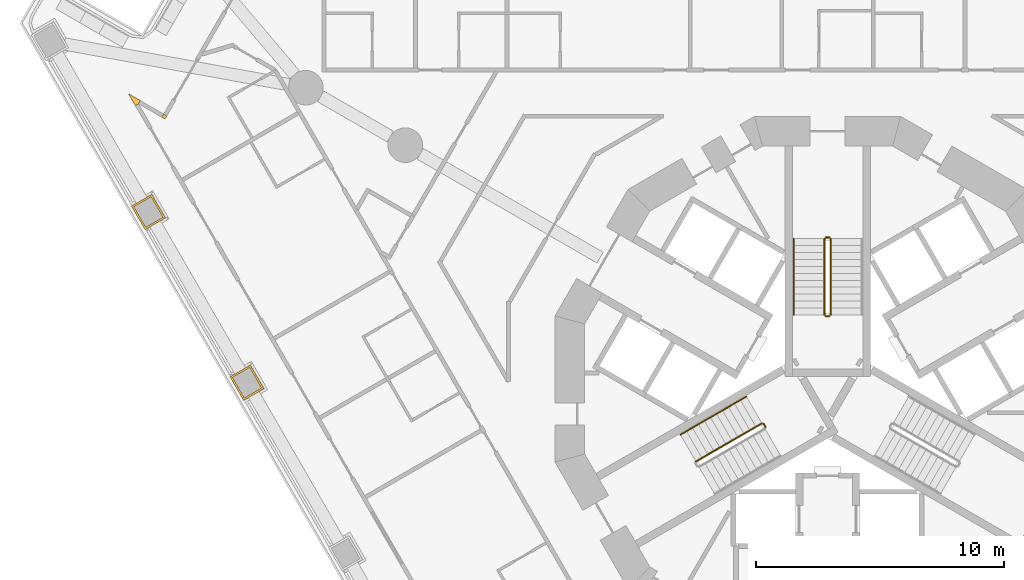
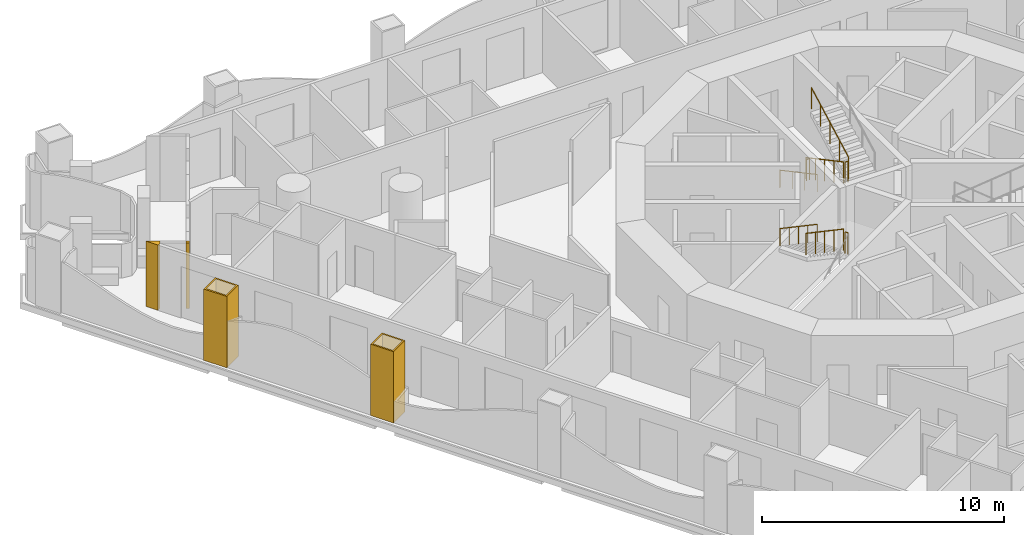
# One storey, part 16 of 20: 9 railings, 4 coverings.
"""IFC4 building model written with IfcOpenShell, lengths in metres."""

from ifc_helpers import new_model, si_unit, direction, frame, origin, origin_2d, place, context, subcontext, project, spatial, polyline, circle, outline, extrude, material, layer, layer_set, type_object, element, save


model = new_model("IFC4")

# Units and contexts
model_context = context("Model", 3, precision=1e-05, world=origin(), true_north=direction((0.0, 1.0)))
body_context = subcontext(model_context, "Body", "Model", "MODEL_VIEW")
ifc_project = project(units=[si_unit("LENGTHUNIT", "METRE"), si_unit("AREAUNIT", "SQUARE_METRE"), si_unit("VOLUMEUNIT", "CUBIC_METRE"), si_unit("PLANEANGLEUNIT", "RADIAN"), si_unit("MASSUNIT", "GRAM", prefix="KILO")], contexts=[model_context])

# Site, building, storey
site_placement = place(None, origin())
site = spatial("IfcSite", under=ifc_project, at=site_placement, CompositionType="ELEMENT")
building_placement = place(site_placement, origin())
building = spatial("IfcBuilding", under=site, at=building_placement, Name="Trine Commons Tower", CompositionType="ELEMENT")
storey_placement = place(building_placement, frame((0.0, 0.0, 38.699951171875)))
storey = spatial("IfcBuildingStorey", under=building, at=storey_placement, Name="L08", CompositionType="ELEMENT", Elevation=38.699951171875)

# Coverings
ifc_material_1 = material(Name="Aluminium-framed insulated wall panel", Category="aluminium")
ifc_layer_1 = layer(ifc_material_1, 0.14990234375)
ifc_layer_set_1 = layer_set([ifc_layer_1], Name="Aluminium-framed insulated wall panel")
covering_type_1 = type_object("IfcCoveringType", Name="Glazing corner post, aluminium", PredefinedType="CLADDING", material=ifc_layer_set_1)
covering_1_placement = place(storey_placement, origin())
element("IfcCovering", 1, at=covering_1_placement, inside=storey, type_object=covering_type_1, Name="Glazing corner post 1-01", PredefinedType="CLADDING", context=body_context, shape_type="SweptSolid", body=[
    extrude(outline(polyline([(51.75634765625, 74.43017578125), (51.75634765625, 74.43017578125), (52.036376953125, 73.9453125), (52.166259765625, 74.020263671875), (52.166259765625, 74.020263671875), (52.166259765625, 74.020263671875), (52.166259765625, 74.020263671875), (52.2412109375, 74.150146484375), (51.75634765625, 74.43017578125)])), origin(), (0.0, 0.0, 1.0), 3.300048828125),
])
covering_2_placement = place(storey_placement, origin())
element("IfcCovering", 2, at=covering_2_placement, inside=storey, type_object=covering_type_1, Name="Glazing corner post 1-02", PredefinedType="CLADDING", context=body_context, shape_type="SweptSolid", body=[
    extrude(outline(polyline([(53.1064453125, 73.4775390625), (53.236328125, 73.402587890625), (53.311279296875, 73.532470703125), (53.181396484375, 73.607421875), (53.1064453125, 73.4775390625)])), origin(), (0.0, 0.0, 1.0), 3.300048828125),
])
ifc_material_2 = material(Name="Limestone, honed", Category="masonry")
ifc_layer_2 = layer(ifc_material_2, 0.074951171875)
ifc_layer_set_2 = layer_set([ifc_layer_2], Name="Limestone, honed")
covering_type_2 = type_object("IfcCoveringType", Name="Limestone column cladding 75", PredefinedType="CLADDING", material=ifc_layer_set_2)
covering_3_placement = place(storey_placement, origin())
element("IfcCovering", 3, at=covering_3_placement, inside=storey, type_object=covering_type_2, Name="Limestone pier cladding 1-06", PredefinedType="CLADDING", context=body_context, shape_type="SweptSolid", body=[
    extrude(outline(polyline([(56.68359375, 63.46630859375), (55.860595703125, 62.9912109375), (56.41064453125, 62.03857421875), (57.2333984375, 62.513671875), (56.68359375, 63.46630859375)]), holes=[polyline([(56.656005859375, 63.36376953125), (55.963134765625, 62.9638671875), (56.438232421875, 62.14111328125), (57.131103515625, 62.541015625), (56.656005859375, 63.36376953125)])]), origin(), (0.0, 0.0, 1.0), 3.60009765625),
])
covering_4_placement = place(storey_placement, origin())
element("IfcCovering", 4, at=covering_4_placement, inside=storey, type_object=covering_type_2, Name="Limestone pier cladding 1-07", PredefinedType="CLADDING", context=body_context, shape_type="SweptSolid", body=[
    extrude(outline(polyline([(52.701904296875, 70.36279296875), (51.87890625, 69.8876953125), (52.428955078125, 68.93505859375), (53.251708984375, 69.41015625), (52.701904296875, 70.36279296875)]), holes=[polyline([(52.67431640625, 70.26025390625), (51.9814453125, 69.8603515625), (52.45654296875, 69.03759765625), (53.1494140625, 69.4375), (52.67431640625, 70.26025390625)])]), origin(), (0.0, 0.0, 1.0), 3.60009765625),
])

# Railings
ifc_material_3 = material(Name="Stainless steel balustrade", Category="steel")
railing_type_1 = type_object("IfcRailingType", Name="Stair guard, steel balustrade 1100", PredefinedType="GUARDRAIL", material=ifc_material_3)
railing_1_placement = place(storey_placement, frame((79.875, 68.570556640625, 0.150146484375)))
element("IfcRailing", 5, at=railing_1_placement, inside=storey, type_object=railing_type_1, Name="L08 ST1A stair guard 1", PredefinedType="GUARDRAIL", context=body_context, shape_type="SweptSolid", body=[
    extrude(circle(Radius=0.02392578125, at=origin_2d()), frame((0.0, 0.0, 1.076171875), z_axis=(0.0, -0.881496589024, 0.472190389079), x_axis=(1.0, 0.0, 0.0)), (0.0, 0.0, 1.0), 3.494140625),
    extrude(circle(Radius=0.02099609375, at=origin_2d()), origin(), (0.0, 0.0, 1.0), 1.052001953125),
    extrude(circle(Radius=0.02099609375, at=origin_2d()), frame((0.0, -0.77001953125, 0.41259765625)), (0.0, 0.0, 1.0), 1.052001953125),
    extrude(circle(Radius=0.02099609375, at=origin_2d()), frame((0.0, -1.5400390625, 0.824951171875)), (0.0, 0.0, 1.0), 1.052001953125),
    extrude(circle(Radius=0.02099609375, at=origin_2d()), frame((0.0, -2.31005859375, 1.2373046875)), (0.0, 0.0, 1.0), 1.052001953125),
    extrude(circle(Radius=0.02099609375, at=origin_2d()), frame((0.0, -3.080078125, 1.64990234375)), (0.0, 0.0, 1.0), 1.052001953125),
])
railing_2_placement = place(storey_placement, frame((79.925048828125, 65.440673828125, 1.800048828125)))
element("IfcRailing", 6, at=railing_2_placement, inside=storey, type_object=railing_type_1, Name="L08 ST1A stair guard 2", PredefinedType="GUARDRAIL", context=body_context, shape_type="SweptSolid", body=[
    extrude(circle(Radius=0.02392578125, at=origin_2d()), frame((0.0, 0.0, 1.076171875), z_axis=(1.0, 0.0, 0.0), x_axis=(0.0, 1.0, 0.0)), (0.0, 0.0, 1.0), 0.14990234375),
    extrude(circle(Radius=0.02099609375, at=origin_2d()), origin(), (0.0, 0.0, 1.0), 1.052001953125),
    extrude(circle(Radius=0.02099609375, at=origin_2d()), frame((0.14990234375, 0.0, 0.0)), (0.0, 0.0, 1.0), 1.052001953125),
])
railing_3_placement = place(storey_placement, frame((80.125, 65.490478515625, 1.949951171875)))
element("IfcRailing", 7, at=railing_3_placement, inside=storey, type_object=railing_type_1, Name="L08 ST1A stair guard 3", PredefinedType="GUARDRAIL", context=body_context, shape_type="SweptSolid", body=[
    extrude(circle(Radius=0.02392578125, at=origin_2d()), frame((0.0, 0.0, 1.076171875), z_axis=(0.0, 0.881467505477, 0.472244678941), x_axis=(-1.0, 0.0, 0.0)), (0.0, 0.0, 1.0), 3.494140625),
    extrude(circle(Radius=0.02099609375, at=origin_2d()), origin(), (0.0, 0.0, 1.0), 1.052001953125),
    extrude(circle(Radius=0.02099609375, at=origin_2d()), frame((0.0, 0.77001953125, 0.41259765625)), (0.0, 0.0, 1.0), 1.052001953125),
    extrude(circle(Radius=0.02099609375, at=origin_2d()), frame((0.0, 1.5400390625, 0.8251953125)), (0.0, 0.0, 1.0), 1.052001953125),
    extrude(circle(Radius=0.02099609375, at=origin_2d()), frame((0.0, 2.31005859375, 1.237548828125)), (0.0, 0.0, 1.0), 1.052001953125),
    extrude(circle(Radius=0.02099609375, at=origin_2d()), frame((0.0, 3.080078125, 1.650146484375)), (0.0, 0.0, 1.0), 1.052001953125),
])
railing_4_placement = place(storey_placement, frame((79.925048828125, 68.62060546875, 0.0)))
element("IfcRailing", 8, at=railing_4_placement, inside=storey, type_object=railing_type_1, Name="L08 ST1A stair guard 4", PredefinedType="GUARDRAIL", context=body_context, shape_type="SweptSolid", body=[
    extrude(circle(Radius=0.02392578125, at=origin_2d()), frame((0.0, 0.0, 1.076171875), z_axis=(1.0, 0.0, 0.0), x_axis=(0.0, 1.0, 0.0)), (0.0, 0.0, 1.0), 0.14990234375),
    extrude(circle(Radius=0.02099609375, at=origin_2d()), origin(), (0.0, 0.0, 1.0), 1.052001953125),
    extrude(circle(Radius=0.02099609375, at=origin_2d()), frame((0.14990234375, 0.0, 0.0)), (0.0, 0.0, 1.0), 1.052001953125),
])
railing_5_placement = place(storey_placement, frame((77.490966796875, 60.96484375, 1.800048828125)))
element("IfcRailing", 9, at=railing_5_placement, inside=storey, type_object=railing_type_1, Name="L08 ST2A stair guard 2", PredefinedType="GUARDRAIL", context=body_context, shape_type="SweptSolid", body=[
    extrude(circle(Radius=0.02392578125, at=origin_2d()), frame((0.0, 0.0, 1.076171875), z_axis=(-0.501036270542, 0.865426285481, 0.0), x_axis=(-0.865426285481, -0.501036270542, 0.0)), (0.0, 0.0, 1.0), 0.150146484375),
    extrude(circle(Radius=0.02099609375, at=origin_2d()), origin(), (0.0, 0.0, 1.0), 1.052001953125),
    extrude(circle(Radius=0.02099609375, at=origin_2d()), frame((-0.0751953125, 0.1298828125, 0.0)), (0.0, 0.0, 1.0), 1.052001953125),
])
railing_6_placement = place(storey_placement, frame((77.34765625, 61.113037109375, 1.949951171875)))
element("IfcRailing", 10, at=railing_6_placement, inside=storey, type_object=railing_type_1, Name="L08 ST2A stair guard 3", PredefinedType="GUARDRAIL", context=body_context, shape_type="SweptSolid", body=[
    extrude(circle(Radius=0.02392578125, at=origin_2d()), frame((0.0, 0.0, 1.076171875), z_axis=(-0.763379768245, -0.440728498818, 0.472239049384), x_axis=(0.499992328818, -0.866029832698, 0.0)), (0.0, 0.0, 1.0), 3.494384765625),
    extrude(circle(Radius=0.02099609375, at=origin_2d()), origin(), (0.0, 0.0, 1.0), 1.052001953125),
    extrude(circle(Radius=0.02099609375, at=origin_2d()), frame((-0.6669921875, -0.385009765625, 0.41259765625)), (0.0, 0.0, 1.0), 1.052001953125),
    extrude(circle(Radius=0.02099609375, at=origin_2d()), frame((-1.333740234375, -0.77001953125, 0.8251953125)), (0.0, 0.0, 1.0), 1.052001953125),
    extrude(circle(Radius=0.02099609375, at=origin_2d()), frame((-2.00048828125, -1.155029296875, 1.237548828125)), (0.0, 0.0, 1.0), 1.052001953125),
    extrude(circle(Radius=0.02099609375, at=origin_2d()), frame((-2.66748046875, -1.5400390625, 1.650146484375)), (0.0, 0.0, 1.0), 1.052001953125),
])
ifc_material_4 = material(Name="Stainless steel handrail", Category="steel")
railing_type_2 = type_object("IfcRailingType", Name="Stair handrail, steel 900", PredefinedType="HANDRAIL", material=ifc_material_4)
railing_7_placement = place(storey_placement, frame((78.625, 68.570556640625, 0.150146484375)))
element("IfcRailing", 11, at=railing_7_placement, inside=storey, type_object=railing_type_2, Name="L08 ST1A stair handrail 1", PredefinedType="HANDRAIL", context=body_context, shape_type="SweptSolid", body=[
    extrude(circle(Radius=0.02099609375, at=origin_2d()), frame((0.0, 0.0, 0.87890625), z_axis=(0.0, -0.881496589024, 0.472190389079), x_axis=(1.0, 0.0, 0.0)), (0.0, 0.0, 1.0), 3.494140625),
    extrude(circle(Radius=0.01513671875, at=origin_2d()), origin(), (0.0, 0.0, 1.0), 0.85791015625),
    extrude(circle(Radius=0.01513671875, at=origin_2d()), frame((0.0, -1.026611328125, 0.550048828125)), (0.0, 0.0, 1.0), 0.85791015625),
    extrude(circle(Radius=0.01513671875, at=origin_2d()), frame((0.0, -2.053466796875, 1.099853515625)), (0.0, 0.0, 1.0), 0.85791015625),
    extrude(circle(Radius=0.01513671875, at=origin_2d()), frame((0.0, -3.080078125, 1.64990234375)), (0.0, 0.0, 1.0), 0.85791015625),
])
railing_8_placement = place(storey_placement, frame((76.72265625, 62.195556640625, 1.949951171875)))
element("IfcRailing", 12, at=railing_8_placement, inside=storey, type_object=railing_type_2, Name="L08 ST2A stair handrail 3", PredefinedType="HANDRAIL", context=body_context, shape_type="SweptSolid", body=[
    extrude(circle(Radius=0.02099609375, at=origin_2d()), frame((0.0, 0.0, 0.87890625), z_axis=(-0.763354580307, -0.440713956853, 0.472293333596), x_axis=(0.499992328818, -0.866029832698, 0.0)), (0.0, 0.0, 1.0), 1.747314453125),
    extrude(circle(Radius=0.01513671875, at=origin_2d()), origin(), (0.0, 0.0, 1.0), 0.85791015625),
    extrude(circle(Radius=0.01513671875, at=origin_2d()), frame((-0.6669921875, -0.385009765625, 0.41259765625)), (0.0, 0.0, 1.0), 0.85791015625),
    extrude(circle(Radius=0.01513671875, at=origin_2d()), frame((-1.333740234375, -0.77001953125, 0.8251953125)), (0.0, 0.0, 1.0), 0.85791015625),
])
railing_9_placement = place(storey_placement, frame((75.388916015625, 61.425537109375, 2.775146484375)))
element("IfcRailing", 13, at=railing_9_placement, inside=storey, type_object=railing_type_2, Name="L08 ST2A stair handrail 4", PredefinedType="HANDRAIL", context=body_context, shape_type="SweptSolid", body=[
    extrude(circle(Radius=0.02099609375, at=origin_2d()), frame((0.0, 0.0, 0.87890625), z_axis=(-0.76340495495, -0.440743040072, 0.472184759798), x_axis=(0.499992328818, -0.866029832698, 0.0)), (0.0, 0.0, 1.0), 1.7470703125),
    extrude(circle(Radius=0.01513671875, at=origin_2d()), origin(), (0.0, 0.0, 1.0), 0.85791015625),
    extrude(circle(Radius=0.01513671875, at=origin_2d()), frame((-0.6669921875, -0.385009765625, 0.41259765625)), (0.0, 0.0, 1.0), 0.85791015625),
    extrude(circle(Radius=0.01513671875, at=origin_2d()), frame((-1.333740234375, -0.77001953125, 0.824951171875)), (0.0, 0.0, 1.0), 0.85791015625),
])

save(model, "model.ifc")
